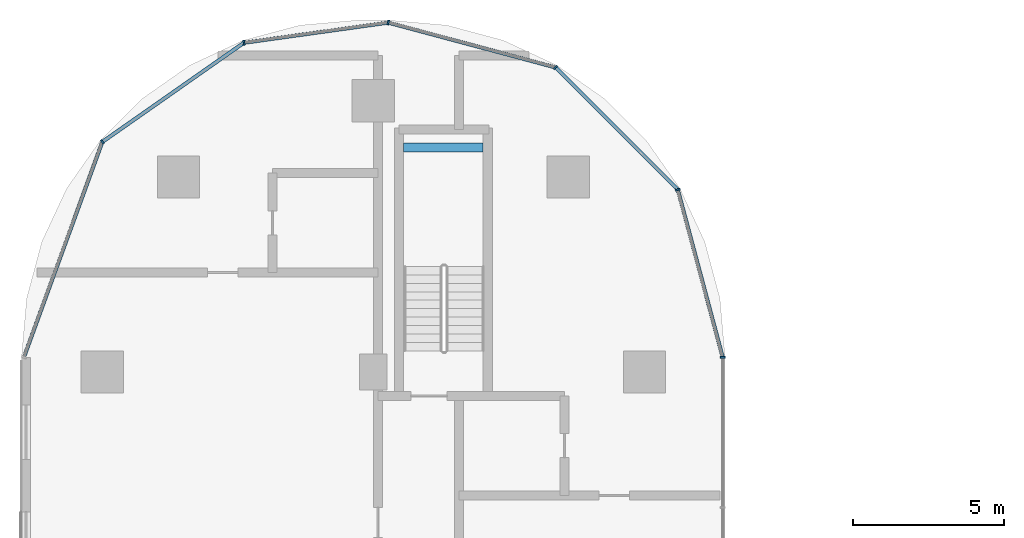
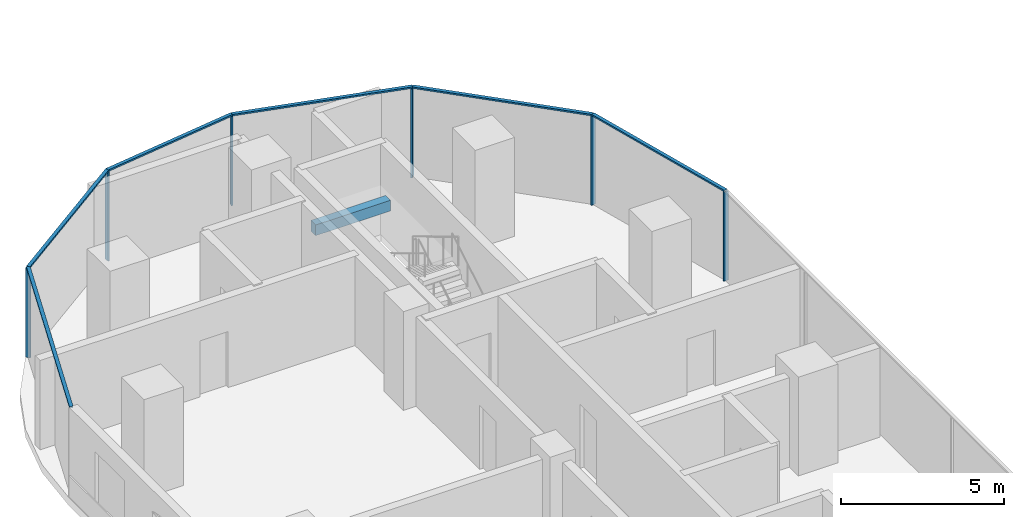
# One storey, part 7 of 34: 12 members, 1 beam, 2 elements without a shape of their own.
"""IFC4 building model written with IfcOpenShell, lengths in metres."""

from ifc_helpers import new_model, si_unit, direction, frame, origin, origin_2d, place, context, subcontext, project, spatial, rectangle, extrude, material, material_profile, profile_set, type_object, element, aggregate, save


model = new_model("IFC4")

# Units and contexts
model_context = context("Model", 3, precision=1e-05, world=origin(), true_north=direction((0.0, 1.0)))
body_context = subcontext(model_context, "Body", "Model", "MODEL_VIEW")
ifc_project = project(units=[si_unit("LENGTHUNIT", "METRE"), si_unit("AREAUNIT", "SQUARE_METRE"), si_unit("VOLUMEUNIT", "CUBIC_METRE"), si_unit("PLANEANGLEUNIT", "RADIAN"), si_unit("MASSUNIT", "GRAM", prefix="KILO")], contexts=[model_context])

# Site, building, storey
site_placement = place(None, origin())
site = spatial("IfcSite", under=ifc_project, at=site_placement, CompositionType="ELEMENT")
building_placement = place(site_placement, origin())
building = spatial("IfcBuilding", under=site, at=building_placement, Name="Ogive Portal Towers", CompositionType="ELEMENT")
storey_placement = place(building_placement, frame((0.0, 0.0, 66.800048828125)))
storey = spatial("IfcBuildingStorey", under=building, at=storey_placement, Name="L15", CompositionType="ELEMENT", Elevation=66.800048828125)

# Beam
ifc_material_1 = material(Name="Concrete C40/50", Category="concrete")
ifc_material_profile_1 = material_profile(ifc_material_1, rectangle(XDim=0.300048828125, YDim=0.39990234375, at=origin_2d()), Name="RC 300x400")
ifc_profile_set_1 = profile_set([ifc_material_profile_1], Name="Concrete C40/50")
beam_type = type_object("IfcBeamType", Name="BEAM RC 300x400", PredefinedType="BEAM", material=ifc_profile_set_1)
beam_placement = place(storey_placement, frame((41.5, 73.949951171875, 1.449951171875), z_axis=(1.0, 0.0, 0.0), x_axis=(0.0, 1.0, 0.0)))
element("IfcBeam", 1, at=beam_placement, inside=storey, type_object=beam_type, Name="Landing beam L15", PredefinedType="BEAM", context=body_context, shape_type="SweptSolid", body=[
    extrude(rectangle(XDim=0.300048828125, YDim=0.39990234375, at=origin_2d()), origin(), (0.0, 0.0, 1.0), 2.64990234375),
])

# Curtain wall, member
ifc_material_2 = material(Name="Glass, clear low-iron insulated glazing", Category="glass")
curtain_wall_type = type_object("IfcCurtainWallType", Name="CW FRONT RIBBON 4500", PredefinedType="NOTDEFINED", material=ifc_material_2)
curtain_wall_1_placement = place(storey_placement, origin())
curtain_wall_1 = element("IfcCurtainWall", 2, at=curtain_wall_1_placement, inside=storey, type_object=curtain_wall_type, Name="A:L15:f20:cw0", PredefinedType="NOTDEFINED")
ifc_material_3 = material(Name="Aluminium 6063 anodised", Category="aluminium")
ifc_material_profile_2 = material_profile(ifc_material_3, rectangle(XDim=0.159912109375, YDim=0.06005859375, at=origin_2d()), Name="AL 60x160")
ifc_profile_set_2 = profile_set([ifc_material_profile_2], Name="Aluminium 6063 anodised")
member_type_1 = type_object("IfcMemberType", Name="CW MULLION 60x160", PredefinedType="MULLION", material=ifc_profile_set_2)
member_1_placement = place(storey_placement, frame((52.10009765625, 66.989501953125, 0.0), z_axis=(0.0, 0.0, 1.0), x_axis=(-1.0, 0.0, 0.0)))
member_1 = element("IfcMember", 3, at=member_1_placement, type_object=member_type_1, Name="mullion", PredefinedType="MULLION", context=body_context, shape_type="SweptSolid", body=[
    extrude(rectangle(XDim=0.159912109375, YDim=0.06005859375, at=origin_2d()), origin(), (0.0, 0.0, 1.0), 3.33984375),
])
aggregate(curtain_wall_1, [member_1])

# Curtain wall, members
curtain_wall_2_placement = place(storey_placement, origin())
curtain_wall_2 = element("IfcCurtainWall", 4, at=curtain_wall_2_placement, inside=storey, type_object=curtain_wall_type, Name="A:L15:f21:cwa", PredefinedType="NOTDEFINED")
member_2_placement = place(storey_placement, frame((50.6103515625, 72.548583984375, 0.0), z_axis=(0.0, 0.0, 1.0), x_axis=(-0.965925826289, -0.258819045103, 0.0)))
member_2 = element("IfcMember", 5, at=member_2_placement, type_object=member_type_1, Name="mullion", PredefinedType="MULLION", context=body_context, shape_type="SweptSolid", body=[
    extrude(rectangle(XDim=0.159912109375, YDim=0.06005859375, at=origin_2d()), origin(), (0.0, 0.0, 1.0), 3.33984375),
])
member_3_placement = place(storey_placement, frame((46.548583984375, 76.6103515625, 0.0), z_axis=(0.0, 0.0, 1.0), x_axis=(-0.707106781187, -0.707106781187, 0.0)))
member_3 = element("IfcMember", 6, at=member_3_placement, type_object=member_type_1, Name="mullion", PredefinedType="MULLION", context=body_context, shape_type="SweptSolid", body=[
    extrude(rectangle(XDim=0.159912109375, YDim=0.06005859375, at=origin_2d()), origin(), (0.0, 0.0, 1.0), 3.33984375),
])
member_4_placement = place(storey_placement, frame((40.994873046875, 78.0986328125, 0.0), z_axis=(0.0, 0.0, 1.0), x_axis=(-0.258819045103, -0.965925826289, 0.0)))
member_4 = element("IfcMember", 7, at=member_4_placement, type_object=member_type_1, Name="mullion", PredefinedType="MULLION", context=body_context, shape_type="SweptSolid", body=[
    extrude(rectangle(XDim=0.159912109375, YDim=0.06005859375, at=origin_2d()), origin(), (0.0, 0.0, 1.0), 3.33984375),
])
member_5_placement = place(storey_placement, frame((36.206298828125, 77.42919921875, 0.0), z_axis=(0.0, 0.0, 1.0), x_axis=(0.13842766445, -0.990372546931, 0.0)))
member_5 = element("IfcMember", 8, at=member_5_placement, type_object=member_type_1, Name="mullion", PredefinedType="MULLION", context=body_context, shape_type="SweptSolid", body=[
    extrude(rectangle(XDim=0.159912109375, YDim=0.06005859375, at=origin_2d()), origin(), (0.0, 0.0, 1.0), 3.33984375),
])
member_6_placement = place(storey_placement, frame((31.502197265625, 74.13525390625, 0.0), z_axis=(0.0, 0.0, 1.0), x_axis=(0.573576436351, -0.819152044289, 0.0)))
member_6 = element("IfcMember", 9, at=member_6_placement, type_object=member_type_1, Name="mullion", PredefinedType="MULLION", context=body_context, shape_type="SweptSolid", body=[
    extrude(rectangle(XDim=0.159912109375, YDim=0.06005859375, at=origin_2d()), origin(), (0.0, 0.0, 1.0), 3.33984375),
])
ifc_material_profile_3 = material_profile(ifc_material_3, rectangle(XDim=0.1201171875, YDim=0.06005859375, at=origin_2d()), Name="AL 120x60")
ifc_profile_set_3 = profile_set([ifc_material_profile_3], Name="Aluminium 6063 anodised")
member_type_2 = type_object("IfcMemberType", Name="CW TRANSOM 60x120", PredefinedType="USERDEFINED", material=ifc_profile_set_3)
member_7_placement = place(storey_placement, frame((52.10009765625, 66.989501953125, 3.369873046875), z_axis=(-0.258850584986, 0.965917374651, 0.0), x_axis=(-0.965917374651, -0.258850584986, 0.0)))
member_7 = element("IfcMember", 10, at=member_7_placement, type_object=member_type_2, Name="transom", ObjectType="TRANSOM", PredefinedType="USERDEFINED", context=body_context, shape_type="SweptSolid", body=[
    extrude(rectangle(XDim=0.1201171875, YDim=0.06005859375, at=origin_2d()), origin(), (0.0, 0.0, 1.0), 5.755126953125),
])
member_8_placement = place(storey_placement, frame((50.6103515625, 72.548583984375, 3.369873046875), z_axis=(-0.707106781187, 0.707106781187, 0.0), x_axis=(-0.707106781187, -0.707106781187, 0.0)))
member_8 = element("IfcMember", 11, at=member_8_placement, type_object=member_type_2, Name="transom", ObjectType="TRANSOM", PredefinedType="USERDEFINED", context=body_context, shape_type="SweptSolid", body=[
    extrude(rectangle(XDim=0.1201171875, YDim=0.06005859375, at=origin_2d()), origin(), (0.0, 0.0, 1.0), 5.744140625),
])
member_9_placement = place(storey_placement, frame((46.548583984375, 76.6103515625, 3.369873046875), z_axis=(-0.965918482464, 0.258846451077, 0.0), x_axis=(-0.258846451077, -0.965918482464, 0.0)))
member_9 = element("IfcMember", 12, at=member_9_placement, type_object=member_type_2, Name="transom", ObjectType="TRANSOM", PredefinedType="USERDEFINED", context=body_context, shape_type="SweptSolid", body=[
    extrude(rectangle(XDim=0.1201171875, YDim=0.06005859375, at=origin_2d()), origin(), (0.0, 0.0, 1.0), 5.749755859375),
])
member_10_placement = place(storey_placement, frame((40.994873046875, 78.0986328125, 3.369873046875), z_axis=(-0.99036918244, -0.138451733367, 0.0), x_axis=(0.138451733367, -0.99036918244, 0.0)))
member_10 = element("IfcMember", 13, at=member_10_placement, type_object=member_type_2, Name="transom", ObjectType="TRANSOM", PredefinedType="USERDEFINED", context=body_context, shape_type="SweptSolid", body=[
    extrude(rectangle(XDim=0.1201171875, YDim=0.06005859375, at=origin_2d()), origin(), (0.0, 0.0, 1.0), 4.835205078125),
])
member_11_placement = place(storey_placement, frame((36.206298828125, 77.42919921875, 3.369873046875), z_axis=(-0.819144031298, -0.573587879918, 0.0), x_axis=(0.573587879918, -0.819144031298, 0.0)))
member_11 = element("IfcMember", 14, at=member_11_placement, type_object=member_type_2, Name="transom", ObjectType="TRANSOM", PredefinedType="USERDEFINED", context=body_context, shape_type="SweptSolid", body=[
    extrude(rectangle(XDim=0.1201171875, YDim=0.06005859375, at=origin_2d()), origin(), (0.0, 0.0, 1.0), 5.74267578125),
])
member_12_placement = place(storey_placement, frame((31.502197265625, 74.13525390625, 3.369873046875), z_axis=(-0.342034187854, -0.939687508877, 0.0), x_axis=(0.939687508877, -0.342034187854, 0.0)))
member_12 = element("IfcMember", 15, at=member_12_placement, type_object=member_type_2, Name="transom", ObjectType="TRANSOM", PredefinedType="USERDEFINED", context=body_context, shape_type="SweptSolid", body=[
    extrude(rectangle(XDim=0.1201171875, YDim=0.06005859375, at=origin_2d()), origin(), (0.0, 0.0, 1.0), 7.6083984375),
])
aggregate(curtain_wall_2, [member_7, member_8, member_9, member_10, member_11, member_12, member_2, member_3, member_4, member_5, member_6])

save(model, "model.ifc")
